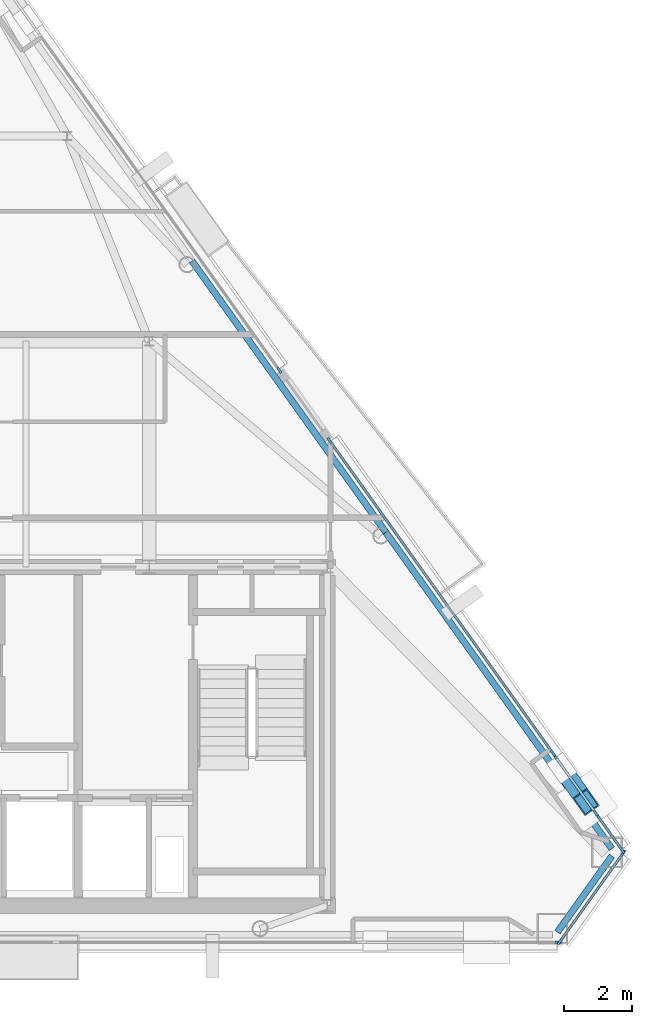
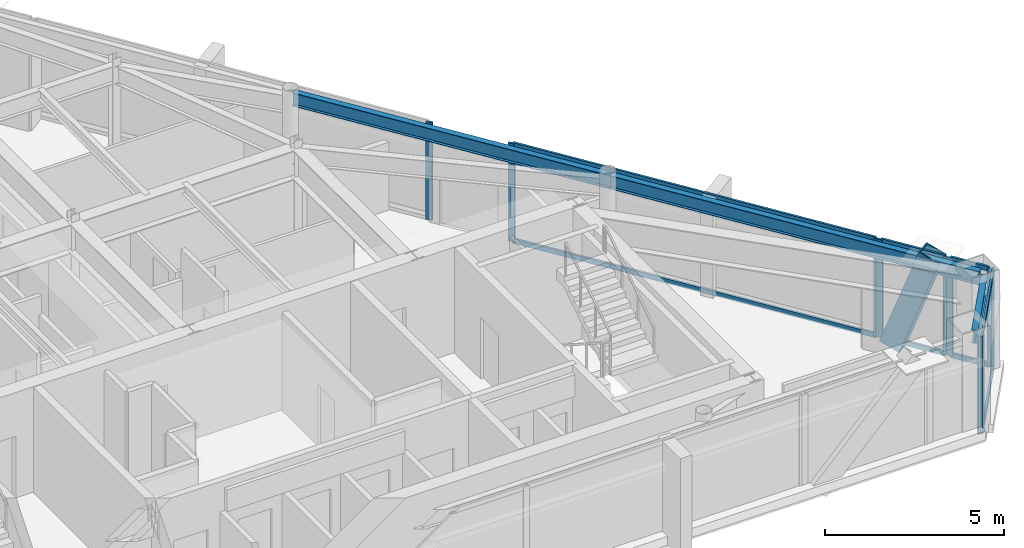
# One storey, part 6 of 12: 19 members, 3 beams, 6 elements without a shape of their own.
"""IFC4 building model written with IfcOpenShell, lengths in metres."""

from ifc_helpers import new_model, si_unit, direction, frame, origin, origin_2d, place, context, subcontext, project, spatial, rectangle, hollow_rectangle, i_section, extrude, material, layer, layer_set, material_profile, profile_set, type_object, element, aggregate, save


model = new_model("IFC4")

# Units and contexts
model_context = context("Model", 3, precision=1e-05, world=origin(), true_north=direction((0.0, 1.0)))
body_context = subcontext(model_context, "Body", "Model", "MODEL_VIEW")
ifc_project = project(units=[si_unit("LENGTHUNIT", "METRE"), si_unit("AREAUNIT", "SQUARE_METRE"), si_unit("VOLUMEUNIT", "CUBIC_METRE"), si_unit("PLANEANGLEUNIT", "RADIAN"), si_unit("MASSUNIT", "GRAM", prefix="KILO")], contexts=[model_context])

# Site, building, storey
site_placement = place(None, origin())
site = spatial("IfcSite", under=ifc_project, at=site_placement, CompositionType="ELEMENT")
building_placement = place(site_placement, origin())
building = spatial("IfcBuilding", under=site, at=building_placement, Name="Talgorran Terracotta Tower", CompositionType="ELEMENT")
storey_placement = place(building_placement, frame((0.0, 0.0, 277.800048828125)))
storey = spatial("IfcBuildingStorey", under=building, at=storey_placement, Name="L73", CompositionType="ELEMENT", Elevation=277.800048828125)

# Beams
ifc_material_1 = material(Name="Steel S355 (300PLUS)", Category="steel")
ifc_material_profile_1 = material_profile(ifc_material_1, i_section(OverallWidth=0.18994140625, OverallDepth=0.45703125, WebThickness=0.009033203125, FlangeThickness=0.014404296875, at=origin_2d()), Name="460UB74.6")
ifc_profile_set_1 = profile_set([ifc_material_profile_1], Name="Steel S355 (300PLUS)")
beam_type = type_object("IfcBeamType", Name="BM_SP_460UB74", PredefinedType="SPANDREL", material=ifc_profile_set_1)
beam_1_placement = place(storey_placement, frame((19.131103515625, -14.87890625, 3.116455078125), z_axis=(0.581322401873, 0.813673315945, 0.0), x_axis=(-0.813673315945, 0.581322401873, 0.0)))
element("IfcBeam", 1, at=beam_1_placement, inside=storey, type_object=beam_type, Name="L73 Perimeter Spandrel Beam MC3-MC4", PredefinedType="SPANDREL", context=body_context, shape_type="SweptSolid", body=[
    extrude(i_section(OverallWidth=0.18994140625, OverallDepth=0.45703125, WebThickness=0.009033203125, FlangeThickness=0.014404296875, at=origin_2d()), origin(), (0.0, 0.0, 1.0), 2.742431640625),
])
beam_2_placement = place(storey_placement, frame((20.725341796875, -12.438232421875, 3.116455078125), z_axis=(-0.581260538156, 0.813717510431, 0.0), x_axis=(-0.813717510431, -0.581260538156, 0.0)))
element("IfcBeam", 2, at=beam_2_placement, inside=storey, type_object=beam_type, Name="L73 Perimeter Spandrel Beam MC4-FC3", PredefinedType="SPANDREL", context=body_context, shape_type="SweptSolid", body=[
    extrude(i_section(OverallWidth=0.18994140625, OverallDepth=0.45703125, WebThickness=0.009033203125, FlangeThickness=0.014404296875, at=origin_2d()), origin(), (0.0, 0.0, 1.0), 11.369140625),
])
beam_3_placement = place(storey_placement, frame((14.116943359375, -3.18701171875, 3.116455078125), z_axis=(-0.58124293337, 0.813730085721, 0.0), x_axis=(-0.813730085721, -0.58124293337, 0.0)))
element("IfcBeam", 3, at=beam_3_placement, inside=storey, type_object=beam_type, Name="L73 Perimeter Spandrel Beam FC3-FC4", PredefinedType="SPANDREL", context=body_context, shape_type="SweptSolid", body=[
    extrude(i_section(OverallWidth=0.18994140625, OverallDepth=0.45703125, WebThickness=0.009033203125, FlangeThickness=0.014404296875, at=origin_2d()), origin(), (0.0, 0.0, 1.0), 9.7451171875),
])

# Member
ifc_material_2 = material(Name="Steel Grade 350 (350L0)", Category="steel")
ifc_material_profile_2 = material_profile(ifc_material_2, hollow_rectangle(XDim=0.52001953125, YDim=0.659912109375, WallThickness=0.034912109375, at=origin_2d()), Name="WBOX660X520X35")
ifc_profile_set_2 = profile_set([ifc_material_profile_2], Name="Steel Grade 350 (350L0)")
member_type_1 = type_object("IfcMemberType", Name="MB_MEGA_660", PredefinedType="BRACE", material=ifc_profile_set_2)
member_1_placement = place(storey_placement, frame((19.260498046875, -10.077880859375, -0.025146484375), z_axis=(0.196291068878, -0.274807496429, 0.941249518558), x_axis=(0.813733471207, 0.581238193719, 0.0)))
element("IfcMember", 4, at=member_1_placement, inside=storey, type_object=member_type_1, Name="L73 Exterior Face Mega-Brace MB-3 (NEL)", PredefinedType="BRACE", context=body_context, shape_type="SweptSolid", body=[
    extrude(hollow_rectangle(XDim=0.52001953125, YDim=0.659912109375, WallThickness=0.034912109375, at=origin_2d()), origin(), (0.0, 0.0, 1.0), 3.60693359375),
])

# Curtain wall, member
ifc_material_3 = material(Name="High-Wind Unitised Glazing", Category="glass")
ifc_layer = layer(ifc_material_3, 0.2099609375, Name="CW_SYS3_RES_HIGH")
ifc_layer_set = layer_set([ifc_layer], Name="High-Wind Unitised Glazing")
curtain_wall_type = type_object("IfcCurtainWallType", Name="CW_SYS3_RES_HIGH", PredefinedType="NOTDEFINED", material=ifc_layer_set)
curtain_wall_1_placement = place(storey_placement, origin())
curtain_wall_1 = element("IfcCurtainWall", 5, at=curtain_wall_1_placement, inside=storey, type_object=curtain_wall_type, Name="CW-L73-F1E", PredefinedType="NOTDEFINED")
ifc_material_4 = material(Name="Architectural Aluminium 6063-T6", Category="aluminium")
ifc_material_profile_3 = material_profile(ifc_material_4, rectangle(XDim=0.070068359375, YDim=0.199951171875, at=origin_2d()), Name="CWM70X200")
ifc_profile_set_3 = profile_set([ifc_material_profile_3], Name="Architectural Aluminium 6063-T6")
member_type_2 = type_object("IfcMemberType", Name="MUL_70X200", PredefinedType="MULLION", material=ifc_profile_set_3)
member_2_placement = place(storey_placement, frame((19.155517578125, -15.17431640625, 0.0), z_axis=(0.0, 0.0, 1.0), x_axis=(0.0, 1.0, 0.0)))
member_2 = element("IfcMember", 6, at=member_2_placement, type_object=member_type_2, Name="CW-L73-1E mullion 2", PredefinedType="MULLION", context=body_context, shape_type="SweptSolid", body=[
    extrude(rectangle(XDim=0.070068359375, YDim=0.199951171875, at=origin_2d()), origin(), (0.0, 0.0, 1.0), 3.344970703125),
])
aggregate(curtain_wall_1, [member_2])

# Curtain wall, members
curtain_wall_2_placement = place(storey_placement, origin())
curtain_wall_2 = element("IfcCurtainWall", 7, at=curtain_wall_2_placement, inside=storey, type_object=curtain_wall_type, Name="CW-L73-F2", PredefinedType="NOTDEFINED")
member_3_placement = place(storey_placement, frame((19.2109375, -15.14599609375, 0.0), z_axis=(0.0, 0.0, 1.0), x_axis=(-0.813720935413, 0.58125574343, 0.0)))
member_3 = element("IfcMember", 8, at=member_3_placement, type_object=member_type_2, Name="CW-L73-2 mullion 1", PredefinedType="MULLION", context=body_context, shape_type="SweptSolid", body=[
    extrude(rectangle(XDim=0.070068359375, YDim=0.199951171875, at=origin_2d()), origin(), (0.0, 0.0, 1.0), 3.344970703125),
])
member_4_placement = place(storey_placement, frame((21.050048828125, -12.5712890625, 0.0), z_axis=(0.0, 0.0, 1.0), x_axis=(-0.813720935413, 0.58125574343, 0.0)))
member_4 = element("IfcMember", 9, at=member_4_placement, type_object=member_type_2, Name="CW-L73-2 mullion 2", PredefinedType="MULLION", context=body_context, shape_type="SweptSolid", body=[
    extrude(rectangle(XDim=0.070068359375, YDim=0.199951171875, at=origin_2d()), origin(), (0.0, 0.0, 1.0), 3.344970703125),
])

curtain_wall_3_placement = place(storey_placement, origin())
curtain_wall_3 = element("IfcCurtainWall", 10, at=curtain_wall_3_placement, inside=storey, type_object=curtain_wall_type, Name="CW-L73-F40", PredefinedType="NOTDEFINED")
member_5_placement = place(storey_placement, frame((21.026611328125, -12.48193359375, 0.0), z_axis=(0.0, 0.0, 1.0), x_axis=(-0.813728405611, -0.581245285488, 0.0)))
member_5 = element("IfcMember", 11, at=member_5_placement, type_object=member_type_2, Name="CW-L73-40 mullion 1", PredefinedType="MULLION", context=body_context, shape_type="SweptSolid", body=[
    extrude(rectangle(XDim=0.070068359375, YDim=0.199951171875, at=origin_2d()), origin(), (0.0, 0.0, 1.0), 3.344970703125),
])
member_6_placement = place(storey_placement, frame((20.2919921875, -11.453369140625, 0.0), z_axis=(0.0, 0.0, 1.0), x_axis=(-0.813728405611, -0.581245285488, 0.0)))
member_6 = element("IfcMember", 12, at=member_6_placement, type_object=member_type_2, Name="CW-L73-40 mullion 2", PredefinedType="MULLION", context=body_context, shape_type="SweptSolid", body=[
    extrude(rectangle(XDim=0.070068359375, YDim=0.199951171875, at=origin_2d()), origin(), (0.0, 0.0, 1.0), 3.344970703125),
])

curtain_wall_4_placement = place(storey_placement, origin())
curtain_wall_4 = element("IfcCurtainWall", 13, at=curtain_wall_4_placement, inside=storey, type_object=curtain_wall_type, Name="CW-L73-F40B", PredefinedType="NOTDEFINED")
member_7_placement = place(storey_placement, frame((20.24560546875, -11.388427734375, 0.0), z_axis=(0.0, 0.0, 1.0), x_axis=(-0.813714433127, -0.581264846108, 0.0)))
member_7 = element("IfcMember", 14, at=member_7_placement, type_object=member_type_2, Name="CW-L73-40B mullion 1", PredefinedType="MULLION", context=body_context, shape_type="SweptSolid", body=[
    extrude(rectangle(XDim=0.070068359375, YDim=0.199951171875, at=origin_2d()), origin(), (0.0, 0.0, 1.0), 3.344970703125),
])
member_8_placement = place(storey_placement, frame((19.04833984375, -9.71240234375, 0.0), z_axis=(0.0, 0.0, 1.0), x_axis=(-0.813714433127, -0.581264846108, 0.0)))
member_8 = element("IfcMember", 15, at=member_8_placement, type_object=member_type_2, Name="CW-L73-40B mullion 2", PredefinedType="MULLION", context=body_context, shape_type="SweptSolid", body=[
    extrude(rectangle(XDim=0.070068359375, YDim=0.199951171875, at=origin_2d()), origin(), (0.0, 0.0, 1.0), 3.344970703125),
])

curtain_wall_5_placement = place(storey_placement, origin())
curtain_wall_5 = element("IfcCurtainWall", 16, at=curtain_wall_5_placement, inside=storey, type_object=curtain_wall_type, Name="CW-L73-F40C", PredefinedType="NOTDEFINED")
member_9_placement = place(storey_placement, frame((19.001953125, -9.647216796875, 0.0), z_axis=(0.0, 0.0, 1.0), x_axis=(-0.813725699397, -0.5812490741, 0.0)))
member_9 = element("IfcMember", 17, at=member_9_placement, type_object=member_type_2, Name="CW-L73-40C mullion 1", PredefinedType="MULLION", context=body_context, shape_type="SweptSolid", body=[
    extrude(rectangle(XDim=0.070068359375, YDim=0.199951171875, at=origin_2d()), origin(), (0.0, 0.0, 1.0), 3.344970703125),
])
member_10_placement = place(storey_placement, frame((12.47314453125, -0.50732421875, 0.0), z_axis=(0.0, 0.0, 1.0), x_axis=(-0.813725699397, -0.5812490741, 0.0)))
member_10 = element("IfcMember", 18, at=member_10_placement, type_object=member_type_2, Name="CW-L73-40C mullion 2", PredefinedType="MULLION", context=body_context, shape_type="SweptSolid", body=[
    extrude(rectangle(XDim=0.070068359375, YDim=0.199951171875, at=origin_2d()), origin(), (0.0, 0.0, 1.0), 3.344970703125),
])

# Curtain wall, member
curtain_wall_6_placement = place(storey_placement, origin())
curtain_wall_6 = element("IfcCurtainWall", 19, at=curtain_wall_6_placement, inside=storey, type_object=curtain_wall_type, Name="CW-L73-F41", PredefinedType="NOTDEFINED")
member_11_placement = place(storey_placement, frame((11.002685546875, 1.55126953125, 0.0), z_axis=(0.0, 0.0, 1.0), x_axis=(-0.813729030957, -0.581244410019, 0.0)))
member_11 = element("IfcMember", 20, at=member_11_placement, type_object=member_type_2, Name="CW-L73-41 mullion 1", PredefinedType="MULLION", context=body_context, shape_type="SweptSolid", body=[
    extrude(rectangle(XDim=0.070068359375, YDim=0.199951171875, at=origin_2d()), origin(), (0.0, 0.0, 1.0), 3.344970703125),
])
aggregate(curtain_wall_6, [member_11])

# Member
ifc_material_profile_4 = material_profile(ifc_material_4, rectangle(XDim=0.070068359375, YDim=0.159912109375, at=origin_2d()), Name="CWT70X160")
ifc_profile_set_4 = profile_set([ifc_material_profile_4], Name="Architectural Aluminium 6063-T6")
member_type_3 = type_object("IfcMemberType", Name="TRN_70X160", PredefinedType="USERDEFINED", material=ifc_profile_set_4)
member_12_placement = place(storey_placement, frame((19.231201171875, -15.117431640625, 0.034912109375), z_axis=(0.581253122593, 0.813722807518, 0.0), x_axis=(-0.813722807518, 0.581253122593, 0.0)))
member_12 = element("IfcMember", 21, at=member_12_placement, type_object=member_type_3, Name="CW-L73-2 transom 1.1", ObjectType="TRANSOM", PredefinedType="USERDEFINED", context=body_context, shape_type="SweptSolid", body=[
    extrude(rectangle(XDim=0.070068359375, YDim=0.159912109375, at=origin_2d()), origin(), (0.0, 0.0, 1.0), 3.093994140625),
])

member_13_placement = place(storey_placement, frame((19.231201171875, -15.117431640625, 3.31005859375), z_axis=(0.581253122593, 0.813722807518, 0.0), x_axis=(-0.813722807518, 0.581253122593, 0.0)))
member_13 = element("IfcMember", 22, at=member_13_placement, type_object=member_type_3, Name="CW-L73-2 transom 1.2", ObjectType="TRANSOM", PredefinedType="USERDEFINED", context=body_context, shape_type="SweptSolid", body=[
    extrude(rectangle(XDim=0.070068359375, YDim=0.159912109375, at=origin_2d()), origin(), (0.0, 0.0, 1.0), 3.093994140625),
])

aggregate(curtain_wall_2, [member_3, member_4, member_12, member_13])

member_14_placement = place(storey_placement, frame((21.00634765625, -12.453369140625, 0.034912109375), z_axis=(-0.581218847967, 0.813747289254, 0.0), x_axis=(-0.813747289254, -0.581218847967, 0.0)))
member_14 = element("IfcMember", 23, at=member_14_placement, type_object=member_type_3, Name="CW-L73-40 transom 1.1", ObjectType="TRANSOM", PredefinedType="USERDEFINED", context=body_context, shape_type="SweptSolid", body=[
    extrude(rectangle(XDim=0.070068359375, YDim=0.159912109375, at=origin_2d()), origin(), (0.0, 0.0, 1.0), 1.19384765625),
])

member_15_placement = place(storey_placement, frame((21.00634765625, -12.453369140625, 3.31005859375), z_axis=(-0.581218847967, 0.813747289254, 0.0), x_axis=(-0.813747289254, -0.581218847967, 0.0)))
member_15 = element("IfcMember", 24, at=member_15_placement, type_object=member_type_3, Name="CW-L73-40 transom 1.2", ObjectType="TRANSOM", PredefinedType="USERDEFINED", context=body_context, shape_type="SweptSolid", body=[
    extrude(rectangle(XDim=0.070068359375, YDim=0.159912109375, at=origin_2d()), origin(), (0.0, 0.0, 1.0), 1.19384765625),
])

aggregate(curtain_wall_3, [member_5, member_6, member_14, member_15])

member_16_placement = place(storey_placement, frame((20.22509765625, -11.35986328125, 0.034912109375), z_axis=(-0.581203367154, 0.813758346199, 0.0), x_axis=(-0.813758346199, -0.581203367154, 0.0)))
member_16 = element("IfcMember", 25, at=member_16_placement, type_object=member_type_3, Name="CW-L73-40B transom 1.1", ObjectType="TRANSOM", PredefinedType="USERDEFINED", context=body_context, shape_type="SweptSolid", body=[
    extrude(rectangle(XDim=0.070068359375, YDim=0.159912109375, at=origin_2d()), origin(), (0.0, 0.0, 1.0), 1.989501953125),
])

member_17_placement = place(storey_placement, frame((20.22509765625, -11.35986328125, 3.31005859375), z_axis=(-0.581203367154, 0.813758346199, 0.0), x_axis=(-0.813758346199, -0.581203367154, 0.0)))
member_17 = element("IfcMember", 26, at=member_17_placement, type_object=member_type_3, Name="CW-L73-40B transom 1.2", ObjectType="TRANSOM", PredefinedType="USERDEFINED", context=body_context, shape_type="SweptSolid", body=[
    extrude(rectangle(XDim=0.070068359375, YDim=0.159912109375, at=origin_2d()), origin(), (0.0, 0.0, 1.0), 1.989501953125),
])

aggregate(curtain_wall_4, [member_7, member_8, member_16, member_17])

member_18_placement = place(storey_placement, frame((18.981689453125, -9.618896484375, 0.034912109375), z_axis=(-0.581248538539, 0.81372608195, 0.0), x_axis=(-0.81372608195, -0.581248538539, 0.0)))
member_18 = element("IfcMember", 27, at=member_18_placement, type_object=member_type_3, Name="CW-L73-40C transom 1.1", ObjectType="TRANSOM", PredefinedType="USERDEFINED", context=body_context, shape_type="SweptSolid", body=[
    extrude(rectangle(XDim=0.070068359375, YDim=0.159912109375, at=origin_2d()), origin(), (0.0, 0.0, 1.0), 11.162353515625),
])

member_19_placement = place(storey_placement, frame((18.981689453125, -9.618896484375, 3.31005859375), z_axis=(-0.581248538539, 0.81372608195, 0.0), x_axis=(-0.81372608195, -0.581248538539, 0.0)))
member_19 = element("IfcMember", 28, at=member_19_placement, type_object=member_type_3, Name="CW-L73-40C transom 1.2", ObjectType="TRANSOM", PredefinedType="USERDEFINED", context=body_context, shape_type="SweptSolid", body=[
    extrude(rectangle(XDim=0.070068359375, YDim=0.159912109375, at=origin_2d()), origin(), (0.0, 0.0, 1.0), 11.162353515625),
])

aggregate(curtain_wall_5, [member_9, member_10, member_18, member_19])

save(model, "model.ifc")
